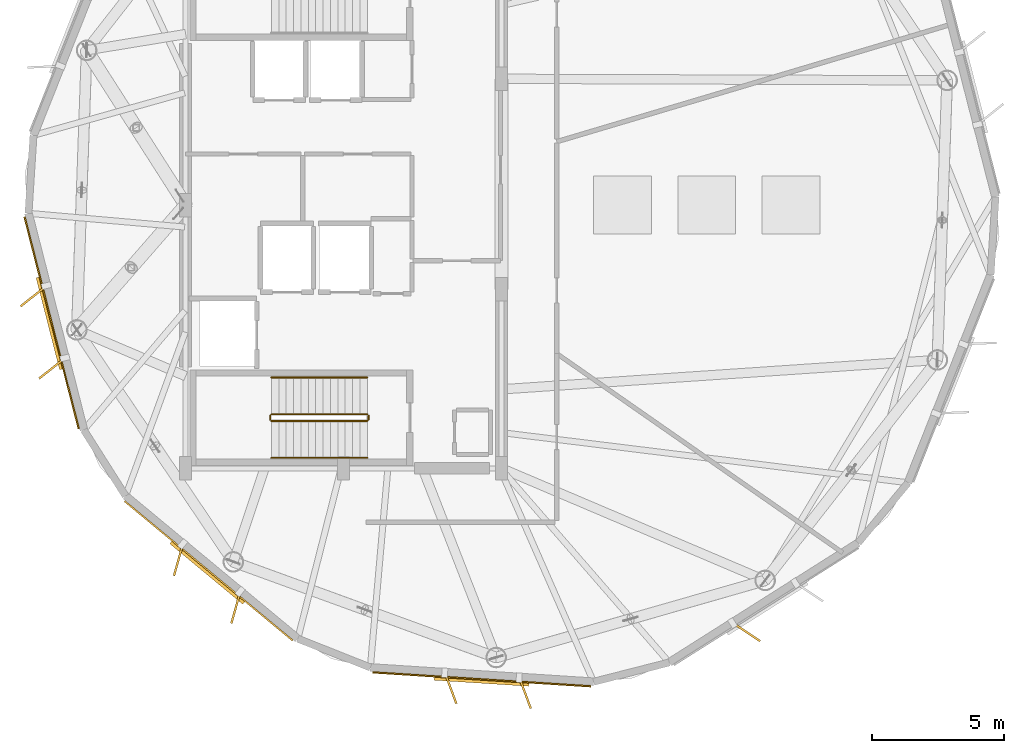
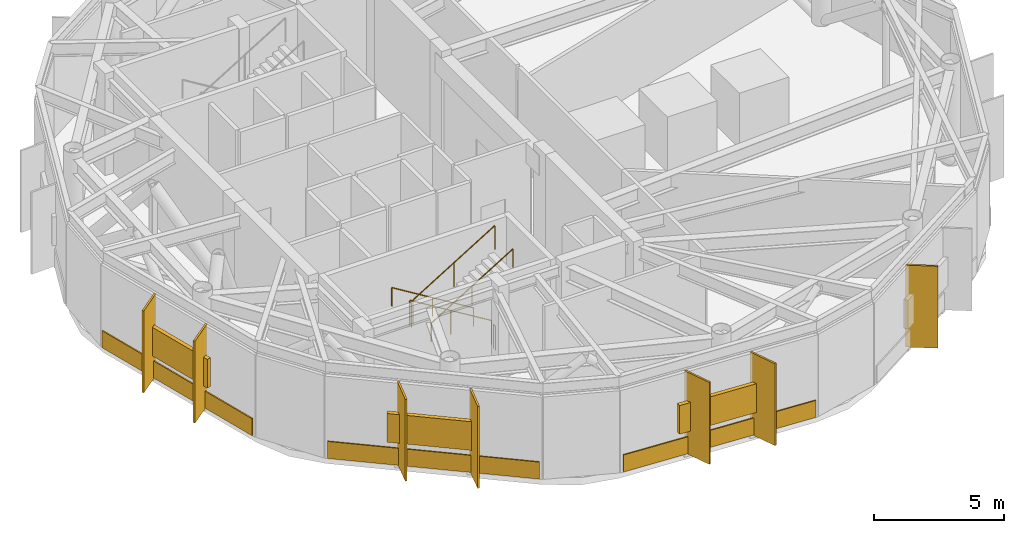
# One storey, part 11 of 14: 10 shading devices, 6 railings, 3 coverings.
"""IFC4 building model written with IfcOpenShell, lengths in metres."""

from ifc_helpers import new_model, si_unit, direction, frame, origin, origin_2d, place, context, subcontext, project, spatial, rectangle, circle, extrude, material, layer, layer_set, type_object, element, save


model = new_model("IFC4")

# Units and contexts
model_context = context("Model", 3, precision=1e-05, world=origin(), true_north=direction((0.0, 1.0)))
body_context = subcontext(model_context, "Body", "Model", "MODEL_VIEW")
ifc_project = project(units=[si_unit("LENGTHUNIT", "METRE"), si_unit("AREAUNIT", "SQUARE_METRE"), si_unit("VOLUMEUNIT", "CUBIC_METRE"), si_unit("PLANEANGLEUNIT", "RADIAN"), si_unit("MASSUNIT", "GRAM", prefix="KILO")], contexts=[model_context])

# Site, building, storey
site_placement = place(None, origin())
site = spatial("IfcSite", under=ifc_project, at=site_placement, CompositionType="ELEMENT")
building_placement = place(site_placement, origin())
building = spatial("IfcBuilding", under=site, at=building_placement, Name="Soratama Intermodal Tower", CompositionType="ELEMENT")
storey_placement = place(building_placement, frame((0.0, 0.0, 283.75)))
storey = spatial("IfcBuildingStorey", under=building, at=storey_placement, Name="L72", CompositionType="ELEMENT", Elevation=283.75)

# Coverings
ifc_material_1 = material(Name="Honed Andean limestone cladding", Category="masonry")
ifc_layer_1 = layer(ifc_material_1, 0.06005859375)
ifc_layer_set_1 = layer_set([ifc_layer_1], Name="Honed Andean limestone cladding")
covering_type = type_object("IfcCoveringType", Name="CV-STONE-CLAD", PredefinedType="CLADDING", material=ifc_layer_set_1)
for number, where, z_axis, x_axis, name in (
    (1, (27.5078125, 20.5283203125, 0.0498046875), (0.0, 0.0, 1.0), (0.247675453076, -0.968843057437, 0.0), "L72 Stone Cladding F04"),
    (2, (33.476806640625, 11.1005859375, 0.0498046875), (0.0, 0.0, 1.0), (0.769845311576, -0.638230519675, 0.0), "L72 Stone Cladding F05"),
    (3, (43.847412109375, 6.98193359375, 0.0498046875), (0.0, 0.0, 1.0), (0.997960427133, -0.063835616056, 0.0), "L72 Stone Cladding F06"),
):
    element("IfcCovering", number, at=place(storey_placement, frame(where, z_axis=z_axis, x_axis=x_axis)), inside=storey, type_object=covering_type, Name=name, PredefinedType="CLADDING", context=body_context, shape_type="SweptSolid", body=[
        extrude(rectangle(XDim=8.2998046875, YDim=0.06005859375, at=origin_2d()), origin(), (0.0, 0.0, 1.0), 0.800048828125),
    ])

# Railings
ifc_material_2 = material(Name="Painted steel stair guardrail", Category="steel")
railing_type_1 = type_object("IfcRailingType", Name="RL-STAIR-GUARD", PredefinedType="GUARDRAIL", material=ifc_material_2)
railing_1_placement = place(storey_placement, frame((39.5, 17.050048828125, 0.17138671875)))
element("IfcRailing", 4, at=railing_1_placement, inside=storey, type_object=railing_type_1, Name="L72 ST-1 stair guard 1", PredefinedType="GUARDRAIL", context=body_context, shape_type="SweptSolid", body=[
    extrude(circle(Radius=0.02392578125, at=origin_2d()), frame((0.0, 0.0, 1.1259765625), z_axis=(-0.852850264322, 0.0, 0.5221555579), x_axis=(0.0, -1.0, 0.0)), (0.0, 0.0, 1.0), 4.267822265625),
    extrude(circle(Radius=0.02099609375, at=origin_2d()), origin(), (0.0, 0.0, 1.0), 1.101806640625),
    extrude(circle(Radius=0.02099609375, at=origin_2d()), frame((-1.81982421875, 0.0, 1.1142578125)), (0.0, 0.0, 1.0), 1.101806640625),
    extrude(circle(Radius=0.02099609375, at=origin_2d()), frame((-3.639892578125, 0.0, 2.228515625)), (0.0, 0.0, 1.0), 1.101806640625),
])
railing_2_placement = place(storey_placement, frame((35.81005859375, 17.0, 2.39990234375)))
element("IfcRailing", 5, at=railing_2_placement, inside=storey, type_object=railing_type_1, Name="L72 ST-1 stair guard 2", PredefinedType="GUARDRAIL", context=body_context, shape_type="SweptSolid", body=[
    extrude(circle(Radius=0.02392578125, at=origin_2d()), frame((0.0, 0.0, 1.1259765625), z_axis=(0.0, -1.0, 0.0), x_axis=(1.0, 0.0, 0.0)), (0.0, 0.0, 1.0), 0.14990234375),
    extrude(circle(Radius=0.02099609375, at=origin_2d()), origin(), (0.0, 0.0, 1.0), 1.101806640625),
    extrude(circle(Radius=0.02099609375, at=origin_2d()), frame((0.0, -0.14990234375, 0.0)), (0.0, 0.0, 1.0), 1.101806640625),
])
railing_3_placement = place(storey_placement, frame((35.860107421875, 16.800048828125, 2.571533203125)))
element("IfcRailing", 6, at=railing_3_placement, inside=storey, type_object=railing_type_1, Name="L72 ST-1 stair guard 3", PredefinedType="GUARDRAIL", context=body_context, shape_type="SweptSolid", body=[
    extrude(circle(Radius=0.02392578125, at=origin_2d()), frame((0.0, 0.0, 1.1259765625), z_axis=(0.852850264322, 0.0, 0.5221555579), x_axis=(0.0, 1.0, 0.0)), (0.0, 0.0, 1.0), 4.267822265625),
    extrude(circle(Radius=0.02099609375, at=origin_2d()), origin(), (0.0, 0.0, 1.0), 1.101806640625),
    extrude(circle(Radius=0.02099609375, at=origin_2d()), frame((1.81982421875, 0.0, 1.1142578125)), (0.0, 0.0, 1.0), 1.101806640625),
    extrude(circle(Radius=0.02099609375, at=origin_2d()), frame((3.639892578125, 0.0, 2.228515625)), (0.0, 0.0, 1.0), 1.101806640625),
])
railing_4_placement = place(storey_placement, frame((39.550048828125, 17.0, 0.0)))
element("IfcRailing", 7, at=railing_4_placement, inside=storey, type_object=railing_type_1, Name="L72 ST-1 stair guard 4", PredefinedType="GUARDRAIL", context=body_context, shape_type="SweptSolid", body=[
    extrude(circle(Radius=0.02392578125, at=origin_2d()), frame((0.0, 0.0, 1.1259765625), z_axis=(0.0, -1.0, 0.0), x_axis=(1.0, 0.0, 0.0)), (0.0, 0.0, 1.0), 0.14990234375),
    extrude(circle(Radius=0.02099609375, at=origin_2d()), origin(), (0.0, 0.0, 1.0), 1.101806640625),
    extrude(circle(Radius=0.02099609375, at=origin_2d()), frame((0.0, -0.14990234375, 0.0)), (0.0, 0.0, 1.0), 1.101806640625),
])
ifc_material_3 = material(Name="Brushed stainless steel handrail", Category="steel")
railing_type_2 = type_object("IfcRailingType", Name="RL-STAIR-HAND", PredefinedType="HANDRAIL", material=ifc_material_3)
railing_5_placement = place(storey_placement, frame((39.5, 18.449951171875, 0.17138671875)))
element("IfcRailing", 8, at=railing_5_placement, inside=storey, type_object=railing_type_2, Name="L72 ST-1 stair handrail 1", PredefinedType="HANDRAIL", context=body_context, shape_type="SweptSolid", body=[
    extrude(circle(Radius=0.02392578125, at=origin_2d()), frame((0.0, 0.0, 0.8759765625), z_axis=(-0.852850264322, 0.0, 0.5221555579), x_axis=(0.0, -1.0, 0.0)), (0.0, 0.0, 1.0), 4.267822265625),
    extrude(circle(Radius=0.02099609375, at=origin_2d()), origin(), (0.0, 0.0, 1.0), 0.851806640625),
    extrude(circle(Radius=0.02099609375, at=origin_2d()), frame((-1.81982421875, 0.0, 1.1142578125)), (0.0, 0.0, 1.0), 0.851806640625),
    extrude(circle(Radius=0.02099609375, at=origin_2d()), frame((-3.639892578125, 0.0, 2.228515625)), (0.0, 0.0, 1.0), 0.851806640625),
])
railing_6_placement = place(storey_placement, frame((35.860107421875, 15.39990234375, 2.571533203125)))
element("IfcRailing", 9, at=railing_6_placement, inside=storey, type_object=railing_type_2, Name="L72 ST-1 stair handrail 2", PredefinedType="HANDRAIL", context=body_context, shape_type="SweptSolid", body=[
    extrude(circle(Radius=0.02392578125, at=origin_2d()), frame((0.0, 0.0, 0.8759765625), z_axis=(0.852850264322, 0.0, 0.5221555579), x_axis=(0.0, 1.0, 0.0)), (0.0, 0.0, 1.0), 4.267822265625),
    extrude(circle(Radius=0.02099609375, at=origin_2d()), origin(), (0.0, 0.0, 1.0), 0.851806640625),
    extrude(circle(Radius=0.02099609375, at=origin_2d()), frame((1.81982421875, 0.0, 1.1142578125)), (0.0, 0.0, 1.0), 0.851806640625),
    extrude(circle(Radius=0.02099609375, at=origin_2d()), frame((3.639892578125, 0.0, 2.228515625)), (0.0, 0.0, 1.0), 0.851806640625),
])

# Shading devices
ifc_material_4 = material(Name="Champagne anodised aluminium solar fin", Category="aluminium")
ifc_layer_2 = layer(ifc_material_4, 0.080078125)
ifc_layer_set_2 = layer_set([ifc_layer_2], Name="Champagne anodised aluminium solar fin")
shading_device_type_1 = type_object("IfcShadingDeviceType", Name="SH-FIN-1250", PredefinedType="USERDEFINED", material=ifc_layer_set_2)
for number, where, z_axis, x_axis, name in (
    (10, (26.8203125, 21.5439453125, 0.02001953125), (0.0, 0.0, 1.0), (-0.784343491933, -0.620326757977, 0.0), "L72 Solar Fin F04-1"),
    (11, (27.522216796875, 18.799072265625, 0.02001953125), (0.0, 0.0, 1.0), (-0.784343491933, -0.620326757977, 0.0), "L72 Solar Fin F04-2"),
    (12, (32.323974609375, 11.518310546875, 0.02001953125), (0.0, 0.0, 1.0), (-0.26992829446, -0.962880426559, 0.0), "L72 Solar Fin F05-1"),
    (13, (34.5048828125, 9.710205078125, 0.02001953125), (0.0, 0.0, 1.0), (-0.26992829446, -0.962880426559, 0.0), "L72 Solar Fin F05-2"),
    (14, (42.669189453125, 6.642333984375, 0.02001953125), (0.0, 0.0, 1.0), (0.347590336971, -0.937646499297, 0.0), "L72 Solar Fin F06-1"),
    (15, (45.49658203125, 6.46142578125, 0.02001953125), (0.0, 0.0, 1.0), (0.347590336971, -0.937646499297, 0.0), "L72 Solar Fin F06-2"),
    (16, (53.90478515625, 8.7783203125, 0.02001953125), (0.0, 0.0, 1.0), (0.832341273841, -0.554263478737, 0.0), "L72 Solar Fin F07-1"),
):
    element("IfcShadingDevice", number, at=place(storey_placement, frame(where, z_axis=z_axis, x_axis=x_axis)), inside=storey, type_object=shading_device_type_1, Name=name, ObjectType="FIN", PredefinedType="USERDEFINED", context=body_context, shape_type="SweptSolid", body=[
        extrude(rectangle(XDim=1.25, YDim=0.080078125, at=origin_2d()), origin(), (0.0, 0.0, 1.0), 3.85888671875),
    ])
ifc_material_5 = material(Name="Anodised aluminium weather louvre", Category="aluminium")
ifc_layer_3 = layer(ifc_material_5, 0.1201171875)
ifc_layer_set_3 = layer_set([ifc_layer_3], Name="Anodised aluminium weather louvre")
shading_device_type_2 = type_object("IfcShadingDeviceType", Name="SH-LOUVRE-PLANT", PredefinedType="JALOUSIE", material=ifc_layer_set_3)
for number, where, z_axis, x_axis, name in (
    (17, (27.449462890625, 20.513427734375, 1.175048828125), (0.0, 0.0, 1.0), (0.247675453076, -0.968843057437, 0.0), "L72 Acoustic Louvre F04"),
    (18, (33.438720703125, 11.054443359375, 1.175048828125), (0.0, 0.0, 1.0), (0.769845311576, -0.638230519675, 0.0), "L72 Acoustic Louvre F05"),
    (19, (43.843505859375, 6.922119140625, 1.175048828125), (0.0, 0.0, 1.0), (0.997960427133, -0.063835616056, 0.0), "L72 Acoustic Louvre F06"),
):
    element("IfcShadingDevice", number, at=place(storey_placement, frame(where, z_axis=z_axis, x_axis=x_axis)), inside=storey, type_object=shading_device_type_2, Name=name, PredefinedType="JALOUSIE", context=body_context, shape_type="SweptSolid", body=[
        extrude(rectangle(XDim=3.60009765625, YDim=0.179931640625, at=origin_2d()), origin(), (0.0, 0.0, 1.0), 1.35009765625),
    ])

save(model, "model.ifc")
